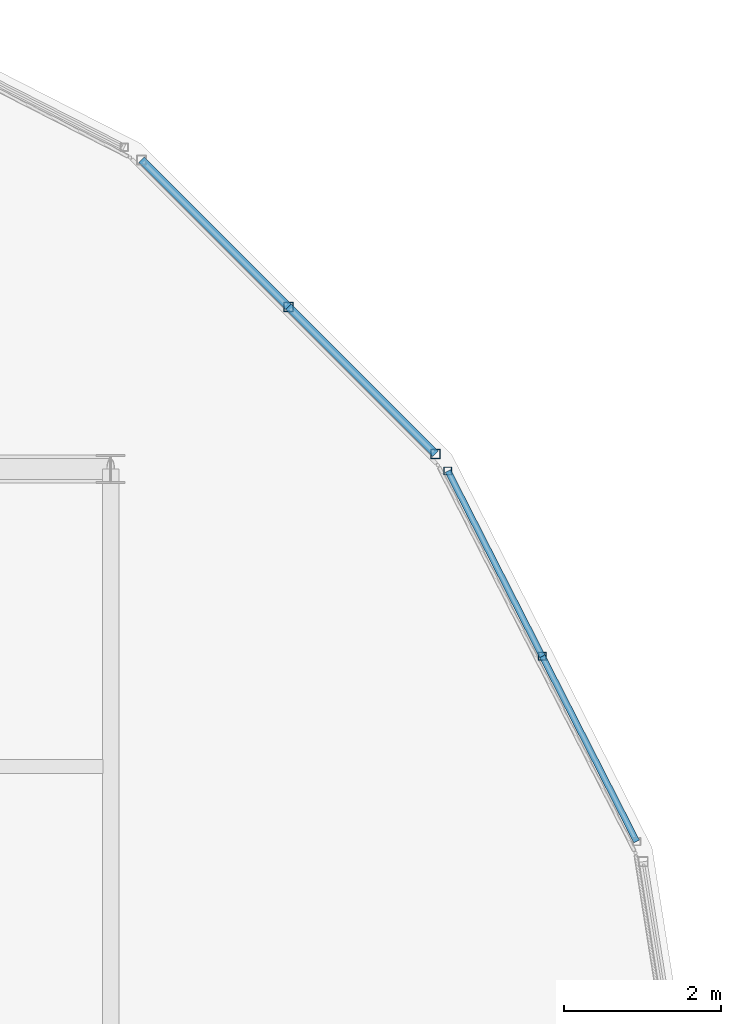
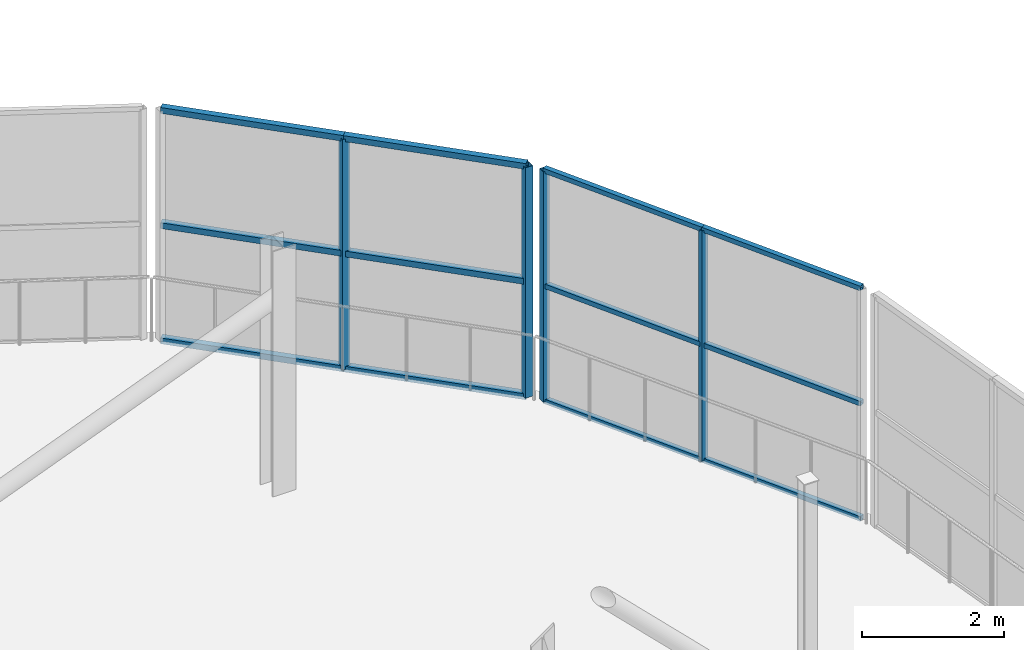
# One storey, part 163 of 217: 16 members, 2 elements without a shape of their own.
"""IFC4 building model written with IfcOpenShell, lengths in metres."""

import ifcopenshell
import ifcopenshell.guid

model = None  # the IFC model being written
_history = None  # IfcOwnerHistory: only IFC2X3 demands one
_inside = {}  # id of a spatial element -> (the spatial element, [elements in it])
_under = {}  # id of a project, library or spatial element -> (it, [spatial elements below it])
_declared = {}  # id of a project -> (the project, [libraries it declares])
_typed = {}  # id of a type object -> (the type object, [elements of that type])
_made_of = {}  # id of a material, layer set ... -> (it, [elements and type objects made of it])


def new_model(schema):
    """Start an empty IFC model of exactly this schema.

    Asked for "IFC4X3", IfcOpenShell would pick the latest addendum, in which some entities
    have other attributes; the version numbers below select the first issue.
    IFC2X3 requires an IfcOwnerHistory on every rooted entity: one is made here for all.
    """
    global model, _history
    if schema == "IFC4X3":
        model = ifcopenshell.file(schema_version=(4, 3, 0, 0))
    else:
        model = ifcopenshell.file(schema=schema)
    _inside.clear()
    _under.clear()
    _declared.clear()
    _typed.clear()
    _made_of.clear()
    _history = None
    if model.schema == "IFC2X3":
        org = make("IfcOrganization", Name="unknown")
        user = make(
            "IfcPersonAndOrganization",
            ThePerson=make("IfcPerson", FamilyName="unknown"),
            TheOrganization=org,
        )
        app = make(
            "IfcApplication",
            ApplicationDeveloper=org,
            Version="unknown",
            ApplicationFullName="unknown",
            ApplicationIdentifier="unknown",
        )
        _history = make(
            "IfcOwnerHistory",
            OwningUser=user,
            OwningApplication=app,
            ChangeAction="ADDED",
            CreationDate=0,
        )
    return model


def make(cls, **values):
    """One entity of the class cls with the attributes given. An attribute that is None is left unset."""
    return model.create_entity(
        cls, **{name: value for name, value in values.items() if value is not None}
    )


def rooted(cls, **values):
    """An entity with a GlobalId (a new one), such as an element, a storey or a relation."""
    return make(cls, GlobalId=ifcopenshell.guid.new(), OwnerHistory=_history, **values)


def si_unit(unit_type, name, prefix=None):
    """IfcSIUnit, for example si_unit("LENGTHUNIT", "METRE", prefix="MILLI")."""
    return make("IfcSIUnit", UnitType=unit_type, Prefix=prefix, Name=name)


def assignment(units):
    """IfcUnitAssignment: the units of a project."""
    return None if units is None else make("IfcUnitAssignment", Units=units)


def point(xyz):
    """IfcCartesianPoint."""
    return None if xyz is None else make("IfcCartesianPoint", Coordinates=xyz)


def direction(xyz):
    """IfcDirection."""
    return None if xyz is None else make("IfcDirection", DirectionRatios=xyz)


def frame(location, z_axis=None, x_axis=None):
    """IfcAxis2Placement3D, a coordinate frame: its origin and axes. An axis left out is left unset."""
    return make(
        "IfcAxis2Placement3D",
        Location=point(location),
        Axis=direction(z_axis),
        RefDirection=direction(x_axis),
    )


def frame_2d(location, x_axis=None):
    """IfcAxis2Placement2D, a coordinate frame in the plane: its origin and x axis."""
    return make(
        "IfcAxis2Placement2D", Location=point(location), RefDirection=direction(x_axis)
    )


def origin():
    """The frame at (0, 0, 0) with its axes left unset."""
    return frame((0.0, 0.0, 0.0))


def origin_2d():
    """The frame at (0, 0) in the plane with its x axis left unset."""
    return frame_2d((0.0, 0.0))


def place(relative_to, where):
    """IfcLocalPlacement: puts the frame where relative to a parent placement (None: the world)."""
    return make(
        "IfcLocalPlacement", PlacementRelTo=relative_to, RelativePlacement=where
    )


def context(
    kind, dimensions, precision=None, world=None, true_north=None, identifier=None
):
    """IfcGeometricRepresentationContext, for example the 3D "Model" context."""
    return make(
        "IfcGeometricRepresentationContext",
        ContextIdentifier=identifier,
        ContextType=kind,
        CoordinateSpaceDimension=dimensions,
        Precision=precision,
        WorldCoordinateSystem=world,
        TrueNorth=true_north,
    )


def subcontext(parent, identifier, kind, view, scale=None):
    """IfcGeometricRepresentationSubContext, for example "Body" below "Model"."""
    return make(
        "IfcGeometricRepresentationSubContext",
        ContextIdentifier=identifier,
        ContextType=kind,
        ParentContext=parent,
        TargetScale=scale,
        TargetView=view,
    )


def project(units=None, contexts=None):
    """IfcProject with its units and contexts."""
    return rooted(
        "IfcProject",
        Name="project",
        RepresentationContexts=contexts,
        UnitsInContext=assignment(units),
    )


def spatial(cls, under=None, at=None, **own):
    """A site, building, storey or space (cls), placed at a placement, below another one or the project."""
    s = rooted(cls, ObjectPlacement=at, **own)
    if under is not None:
        _under.setdefault(under.id(), (under, []))[1].append(s)
    return s


def profile(cls, at=None, kind="AREA", **sizes):
    """A parametric profile (cls). Its sizes go by their IFC names, for example OverallWidth=200.0."""
    return make(cls, ProfileType=kind, Position=at, **sizes)


def hollow_rectangle(**sizes):
    """IfcRectangleHollowProfileDef."""
    return profile("IfcRectangleHollowProfileDef", **sizes)


def extrude(swept, where, along, depth):
    """IfcExtrudedAreaSolid: the profile swept, set in the frame where, extruded along a direction by depth."""
    return make(
        "IfcExtrudedAreaSolid",
        SweptArea=swept,
        Position=where,
        ExtrudedDirection=direction(along),
        Depth=depth,
    )


def shape(context_of_items, identifier, shape_type, items):
    """IfcShapeRepresentation: the items that make up one representation, for example the "Body"."""
    return make(
        "IfcShapeRepresentation",
        ContextOfItems=context_of_items,
        RepresentationIdentifier=identifier,
        RepresentationType=shape_type,
        Items=items,
    )


def material(Name=None, Category=None):
    """IfcMaterial."""
    return make("IfcMaterial", Name=Name, Category=Category)


def material_profile(
    of_material, cross_section, Name=None, Category=None, Priority=None
):
    """IfcMaterialProfile: a cross section and its material."""
    return make(
        "IfcMaterialProfile",
        Name=Name,
        Material=of_material,
        Profile=cross_section,
        Priority=Priority,
        Category=Category,
    )


def profile_set(profiles, Name=None, composite=None):
    """IfcMaterialProfileSet."""
    return make(
        "IfcMaterialProfileSet",
        Name=Name,
        MaterialProfiles=profiles,
        CompositeProfile=composite,
    )


def made_of(thing, what):
    """Note that an element or type object is made of a material, layer set ...; save() writes the relation."""
    if what is not None:
        _made_of.setdefault(what.id(), (what, []))[1].append(thing)
    return thing


def type_object(cls, material=None, **own):
    """A type object (cls), such as IfcWallType, which elements share."""
    return made_of(rooted(cls, **own), material)


def element(
    cls,
    number,
    at=None,
    inside=None,
    cuts=None,
    type_object=None,
    material=None,
    context=None,
    identifier="Body",
    shape_type=None,
    held_by="IfcProductDefinitionShape",
    body=None,
    shapes=None,
    **own,
):
    """One element of the class cls, such as IfcWall. Its Tag is "e" and its number.

    at: its placement. inside: the storey or other place that contains it. cuts: it is an
    opening in that element (IfcRelVoidsElement). A single representation is given by context,
    identifier, shape_type and body (its items); several are given by shapes. held_by: the class
    of the entity that holds the representations. save() writes the other relations.
    """
    e = rooted(cls, Tag="e%d" % number, ObjectPlacement=at, **own)
    if body is not None:
        shapes = [shape(context, identifier, shape_type, body)]
    if shapes is not None:
        e.Representation = make(held_by, Representations=shapes)
    if inside is not None:
        _inside.setdefault(inside.id(), (inside, []))[1].append(e)
    if cuts is not None:
        rooted(
            "IfcRelVoidsElement", RelatingBuildingElement=cuts, RelatedOpeningElement=e
        )
    if type_object is not None:
        _typed.setdefault(type_object.id(), (type_object, []))[1].append(e)
    return made_of(e, material)


def aggregate(whole, parts):
    """IfcRelAggregates: a whole, such as a stair, and the parts it consists of."""
    return rooted("IfcRelAggregates", RelatingObject=whole, RelatedObjects=parts)


def save(model, path):
    """Write the relations noted so far, then the file.

    IfcRelAggregates (storeys below a building ...), IfcRelContainedInSpatialStructure (elements
    in a storey), IfcRelDefinesByType, IfcRelAssociatesMaterial and IfcRelDeclares: one each for
    every whole, place, type object, material and project.
    """
    for whole, parts in _under.values():
        aggregate(whole, parts)
    for where, things in _inside.values():
        rooted(
            "IfcRelContainedInSpatialStructure",
            RelatedElements=things,
            RelatingStructure=where,
        )
    for kind, things in _typed.values():
        rooted("IfcRelDefinesByType", RelatedObjects=things, RelatingType=kind)
    for what, things in _made_of.values():
        rooted("IfcRelAssociatesMaterial", RelatedObjects=things, RelatingMaterial=what)
    for by, libraries in _declared.values():
        rooted("IfcRelDeclares", RelatingContext=by, RelatedDefinitions=libraries)
    model.write(path)


model = new_model("IFC4")

# Units and contexts
model_context = context("Model", 3, precision=1e-05, world=origin(), true_north=direction((0.0, 1.0)))
body_context = subcontext(model_context, "Body", "Model", "MODEL_VIEW")
ifc_project = project(units=[si_unit("LENGTHUNIT", "METRE"), si_unit("AREAUNIT", "SQUARE_METRE"), si_unit("VOLUMEUNIT", "CUBIC_METRE"), si_unit("PLANEANGLEUNIT", "RADIAN"), si_unit("MASSUNIT", "GRAM", prefix="KILO")], contexts=[model_context])

# Site, building, storey
site_placement = place(None, origin())
site = spatial("IfcSite", under=ifc_project, at=site_placement, CompositionType="ELEMENT")
building_placement = place(site_placement, origin())
building = spatial("IfcBuilding", under=site, at=building_placement, Name="Zuvorla Pavilion Media Centre", CompositionType="ELEMENT")
storey_placement = place(building_placement, frame((0.0, 0.0, 9.60009765625)))
storey = spatial("IfcBuildingStorey", under=building, at=storey_placement, Name="L02", CompositionType="ELEMENT", Elevation=9.60009765625)

# Curtain wall, members
ifc_material_1 = material(Name="Unitised anodised aluminium and solar glass curtain wall", Category="aluminium")
curtain_wall_type_1 = type_object("IfcCurtainWallType", Name="CW-SYS-02", PredefinedType="USERDEFINED", material=ifc_material_1)
curtain_wall_1_placement = place(storey_placement, origin())
curtain_wall_1 = element("IfcCurtainWall", 1, at=curtain_wall_1_placement, inside=storey, type_object=curtain_wall_type_1, Name="L02 curtain wall CW02 8", ObjectType="CURTAIN WALL", PredefinedType="USERDEFINED")
ifc_material_2 = material(Name="Anodised aluminium 6063-T6", Category="aluminium")
ifc_material_profile_1 = material_profile(ifc_material_2, hollow_rectangle(XDim=0.10009765625, YDim=0.10009765625, WallThickness=0.00439453125, at=origin_2d()), Name="ALU MULL 100x100")
ifc_profile_set_1 = profile_set([ifc_material_profile_1], Name="Anodised aluminium 6063-T6")
member_type_1 = type_object("IfcMemberType", Name="CW-MULL-100", PredefinedType="MULLION", material=ifc_profile_set_1)
member_1_placement = place(storey_placement, frame((173.115966796875, 79.607666015625, 0.0), z_axis=(0.0, 0.0, 1.0), x_axis=(1.0, 0.0, 0.0)))
member_1 = element("IfcMember", 2, at=member_1_placement, type_object=member_type_1, Name="CW02 mullion 2", PredefinedType="MULLION", context=body_context, shape_type="SweptSolid", body=[
    extrude(hollow_rectangle(XDim=0.10009765625, YDim=0.10009765625, WallThickness=0.00439453125, at=origin_2d()), origin(), (0.0, 0.0, 1.0), 3.949951171875),
])
member_2_placement = place(storey_placement, frame((171.91015625, 81.97412109375, 0.0), z_axis=(0.0, 0.0, 1.0), x_axis=(1.0, 0.0, 0.0)))
member_2 = element("IfcMember", 3, at=member_2_placement, type_object=member_type_1, Name="CW02 mullion 3", PredefinedType="MULLION", context=body_context, shape_type="SweptSolid", body=[
    extrude(hollow_rectangle(XDim=0.10009765625, YDim=0.10009765625, WallThickness=0.00439453125, at=origin_2d()), origin(), (0.0, 0.0, 1.0), 3.949951171875),
])

curtain_wall_type_2 = type_object("IfcCurtainWallType", Name="CW-SYS-03", PredefinedType="USERDEFINED", material=ifc_material_1)
curtain_wall_2_placement = place(storey_placement, origin())
curtain_wall_2 = element("IfcCurtainWall", 4, at=curtain_wall_2_placement, inside=storey, type_object=curtain_wall_type_2, Name="L02 curtain wall CW03 9", ObjectType="CURTAIN WALL", PredefinedType="USERDEFINED")
ifc_material_profile_2 = material_profile(ifc_material_2, hollow_rectangle(XDim=0.1201171875, YDim=0.1201171875, WallThickness=0.0048828125, at=origin_2d()), Name="ALU MULL 120x120")
ifc_profile_set_2 = profile_set([ifc_material_profile_2], Name="Anodised aluminium 6063-T6")
member_type_2 = type_object("IfcMemberType", Name="CW-MULL-120", PredefinedType="MULLION", material=ifc_profile_set_2)
member_3_placement = place(storey_placement, frame((171.750244140625, 82.194091796875, 0.0), z_axis=(0.0, 0.0, 1.0), x_axis=(1.0, 0.0, 0.0)))
member_3 = element("IfcMember", 5, at=member_3_placement, type_object=member_type_2, Name="CW03 mullion 1", PredefinedType="MULLION", context=body_context, shape_type="SweptSolid", body=[
    extrude(hollow_rectangle(XDim=0.1201171875, YDim=0.1201171875, WallThickness=0.0048828125, at=origin_2d()), origin(), (0.0, 0.0, 1.0), 3.949951171875),
])
member_4_placement = place(storey_placement, frame((169.872314453125, 84.072265625, 0.0), z_axis=(0.0, 0.0, 1.0), x_axis=(1.0, 0.0, 0.0)))
member_4 = element("IfcMember", 6, at=member_4_placement, type_object=member_type_2, Name="CW03 mullion 2", PredefinedType="MULLION", context=body_context, shape_type="SweptSolid", body=[
    extrude(hollow_rectangle(XDim=0.1201171875, YDim=0.1201171875, WallThickness=0.0048828125, at=origin_2d()), origin(), (0.0, 0.0, 1.0), 3.949951171875),
])
ifc_material_profile_3 = material_profile(ifc_material_2, hollow_rectangle(XDim=0.10009765625, YDim=0.10009765625, WallThickness=0.00439453125, at=origin_2d()), Name="ALU TRAN 100x100")
ifc_profile_set_3 = profile_set([ifc_material_profile_3], Name="Anodised aluminium 6063-T6")
member_type_3 = type_object("IfcMemberType", Name="CW-TRAN-100", PredefinedType="USERDEFINED", material=ifc_profile_set_3)
member_5_placement = place(storey_placement, frame((171.750244140625, 82.194091796875, 0.0), z_axis=(-0.707060818901, 0.707152740485, 0.0), x_axis=(-0.707152740485, -0.707060818901, 0.0)))
member_5 = element("IfcMember", 7, at=member_5_placement, type_object=member_type_3, Name="CW03 transom 1.1", ObjectType="TRANSOM", PredefinedType="USERDEFINED", context=body_context, shape_type="SweptSolid", body=[
    extrude(hollow_rectangle(XDim=0.10009765625, YDim=0.10009765625, WallThickness=0.00439453125, at=origin_2d()), origin(), (0.0, 0.0, 1.0), 2.656005859375),
])
member_6_placement = place(storey_placement, frame((171.750244140625, 82.194091796875, 1.974853515625), z_axis=(-0.707060818901, 0.707152740485, 0.0), x_axis=(-0.707152740485, -0.707060818901, 0.0)))
member_6 = element("IfcMember", 8, at=member_6_placement, type_object=member_type_3, Name="CW03 transom 1.2", ObjectType="TRANSOM", PredefinedType="USERDEFINED", context=body_context, shape_type="SweptSolid", body=[
    extrude(hollow_rectangle(XDim=0.10009765625, YDim=0.10009765625, WallThickness=0.00439453125, at=origin_2d()), origin(), (0.0, 0.0, 1.0), 2.656005859375),
])
member_7_placement = place(storey_placement, frame((171.750244140625, 82.194091796875, 3.949951171875), z_axis=(-0.707060818901, 0.707152740485, 0.0), x_axis=(-0.707152740485, -0.707060818901, 0.0)))
member_7 = element("IfcMember", 9, at=member_7_placement, type_object=member_type_3, Name="CW03 transom 1.3", ObjectType="TRANSOM", PredefinedType="USERDEFINED", context=body_context, shape_type="SweptSolid", body=[
    extrude(hollow_rectangle(XDim=0.10009765625, YDim=0.10009765625, WallThickness=0.00439453125, at=origin_2d()), origin(), (0.0, 0.0, 1.0), 2.656005859375),
])
member_8_placement = place(storey_placement, frame((169.872314453125, 84.072265625, 0.0), z_axis=(-0.707152740485, 0.707060818901, 0.0), x_axis=(-0.707060818901, -0.707152740485, 0.0)))
member_8 = element("IfcMember", 10, at=member_8_placement, type_object=member_type_3, Name="CW03 transom 2.1", ObjectType="TRANSOM", PredefinedType="USERDEFINED", context=body_context, shape_type="SweptSolid", body=[
    extrude(hollow_rectangle(XDim=0.10009765625, YDim=0.10009765625, WallThickness=0.00439453125, at=origin_2d()), origin(), (0.0, 0.0, 1.0), 2.656005859375),
])
member_9_placement = place(storey_placement, frame((169.872314453125, 84.072265625, 1.974853515625), z_axis=(-0.707152740485, 0.707060818901, 0.0), x_axis=(-0.707060818901, -0.707152740485, 0.0)))
member_9 = element("IfcMember", 11, at=member_9_placement, type_object=member_type_3, Name="CW03 transom 2.2", ObjectType="TRANSOM", PredefinedType="USERDEFINED", context=body_context, shape_type="SweptSolid", body=[
    extrude(hollow_rectangle(XDim=0.10009765625, YDim=0.10009765625, WallThickness=0.00439453125, at=origin_2d()), origin(), (0.0, 0.0, 1.0), 2.656005859375),
])
member_10_placement = place(storey_placement, frame((169.872314453125, 84.072265625, 3.949951171875), z_axis=(-0.707152740485, 0.707060818901, 0.0), x_axis=(-0.707060818901, -0.707152740485, 0.0)))
member_10 = element("IfcMember", 12, at=member_10_placement, type_object=member_type_3, Name="CW03 transom 2.3", ObjectType="TRANSOM", PredefinedType="USERDEFINED", context=body_context, shape_type="SweptSolid", body=[
    extrude(hollow_rectangle(XDim=0.10009765625, YDim=0.10009765625, WallThickness=0.00439453125, at=origin_2d()), origin(), (0.0, 0.0, 1.0), 2.656005859375),
])
aggregate(curtain_wall_2, [member_3, member_4, member_5, member_6, member_7, member_8, member_9, member_10])

# Member
ifc_material_profile_4 = material_profile(ifc_material_2, hollow_rectangle(XDim=0.080078125, YDim=0.080078125, WallThickness=0.00390625, at=origin_2d()), Name="ALU TRAN 80x80")
ifc_profile_set_4 = profile_set([ifc_material_profile_4], Name="Anodised aluminium 6063-T6")
member_type_4 = type_object("IfcMemberType", Name="CW-TRAN-80", PredefinedType="USERDEFINED", material=ifc_profile_set_4)
member_11_placement = place(storey_placement, frame((174.321533203125, 77.2412109375, 0.0), z_axis=(-0.453929912622, 0.891037392272, 0.0), x_axis=(-0.891037392272, -0.453929912622, 0.0)))
member_11 = element("IfcMember", 13, at=member_11_placement, type_object=member_type_4, Name="CW02 transom 1.1", ObjectType="TRANSOM", PredefinedType="USERDEFINED", context=body_context, shape_type="SweptSolid", body=[
    extrude(hollow_rectangle(XDim=0.080078125, YDim=0.080078125, WallThickness=0.00390625, at=origin_2d()), origin(), (0.0, 0.0, 1.0), 2.65576171875),
])

member_12_placement = place(storey_placement, frame((174.321533203125, 77.2412109375, 1.974853515625), z_axis=(-0.453929912622, 0.891037392272, 0.0), x_axis=(-0.891037392272, -0.453929912622, 0.0)))
member_12 = element("IfcMember", 14, at=member_12_placement, type_object=member_type_4, Name="CW02 transom 1.2", ObjectType="TRANSOM", PredefinedType="USERDEFINED", context=body_context, shape_type="SweptSolid", body=[
    extrude(hollow_rectangle(XDim=0.080078125, YDim=0.080078125, WallThickness=0.00390625, at=origin_2d()), origin(), (0.0, 0.0, 1.0), 2.65576171875),
])

member_13_placement = place(storey_placement, frame((174.321533203125, 77.2412109375, 3.949951171875), z_axis=(-0.453929912622, 0.891037392272, 0.0), x_axis=(-0.891037392272, -0.453929912622, 0.0)))
member_13 = element("IfcMember", 15, at=member_13_placement, type_object=member_type_4, Name="CW02 transom 1.3", ObjectType="TRANSOM", PredefinedType="USERDEFINED", context=body_context, shape_type="SweptSolid", body=[
    extrude(hollow_rectangle(XDim=0.080078125, YDim=0.080078125, WallThickness=0.00390625, at=origin_2d()), origin(), (0.0, 0.0, 1.0), 2.65576171875),
])

member_14_placement = place(storey_placement, frame((173.115966796875, 79.607666015625, 0.0), z_axis=(-0.454002892375, 0.891000209717, 0.0), x_axis=(-0.891000209717, -0.454002892375, 0.0)))
member_14 = element("IfcMember", 16, at=member_14_placement, type_object=member_type_4, Name="CW02 transom 2.1", ObjectType="TRANSOM", PredefinedType="USERDEFINED", context=body_context, shape_type="SweptSolid", body=[
    extrude(hollow_rectangle(XDim=0.080078125, YDim=0.080078125, WallThickness=0.00390625, at=origin_2d()), origin(), (0.0, 0.0, 1.0), 2.656005859375),
])

member_15_placement = place(storey_placement, frame((173.115966796875, 79.607666015625, 1.974853515625), z_axis=(-0.454002892375, 0.891000209717, 0.0), x_axis=(-0.891000209717, -0.454002892375, 0.0)))
member_15 = element("IfcMember", 17, at=member_15_placement, type_object=member_type_4, Name="CW02 transom 2.2", ObjectType="TRANSOM", PredefinedType="USERDEFINED", context=body_context, shape_type="SweptSolid", body=[
    extrude(hollow_rectangle(XDim=0.080078125, YDim=0.080078125, WallThickness=0.00390625, at=origin_2d()), origin(), (0.0, 0.0, 1.0), 2.656005859375),
])

member_16_placement = place(storey_placement, frame((173.115966796875, 79.607666015625, 3.949951171875), z_axis=(-0.454002892375, 0.891000209717, 0.0), x_axis=(-0.891000209717, -0.454002892375, 0.0)))
member_16 = element("IfcMember", 18, at=member_16_placement, type_object=member_type_4, Name="CW02 transom 2.3", ObjectType="TRANSOM", PredefinedType="USERDEFINED", context=body_context, shape_type="SweptSolid", body=[
    extrude(hollow_rectangle(XDim=0.080078125, YDim=0.080078125, WallThickness=0.00390625, at=origin_2d()), origin(), (0.0, 0.0, 1.0), 2.656005859375),
])

aggregate(curtain_wall_1, [member_1, member_2, member_11, member_12, member_13, member_14, member_15, member_16])

save(model, "model.ifc")
